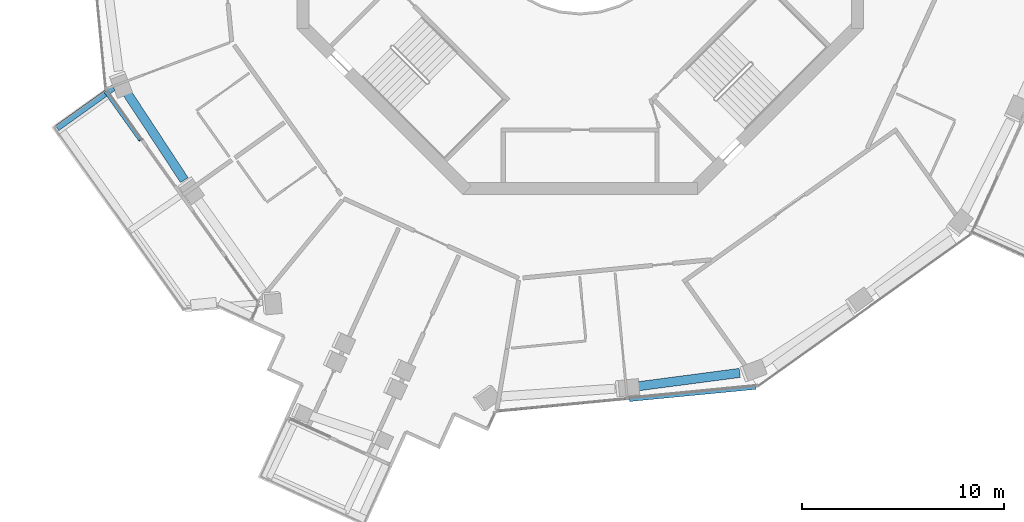
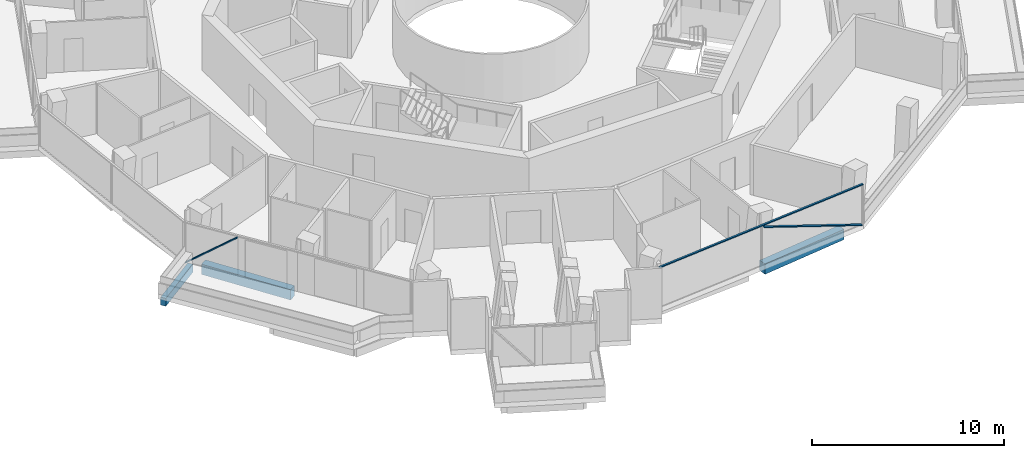
# One storey, part 3 of 22: 3 beams, 3 members, 2 elements without a shape of their own.
"""IFC4 building model written with IfcOpenShell, lengths in metres."""

from ifc_helpers import new_model, si_unit, direction, frame, origin, origin_2d, place, context, subcontext, project, spatial, rectangle, extrude, material, layer, layer_set, material_profile, profile_set, type_object, element, aggregate, save


model = new_model("IFC4")

# Units and contexts
model_context = context("Model", 3, precision=1e-05, world=origin(), true_north=direction((0.0, 1.0)))
body_context = subcontext(model_context, "Body", "Model", "MODEL_VIEW")
ifc_project = project(units=[si_unit("LENGTHUNIT", "METRE"), si_unit("AREAUNIT", "SQUARE_METRE"), si_unit("VOLUMEUNIT", "CUBIC_METRE"), si_unit("PLANEANGLEUNIT", "RADIAN"), si_unit("MASSUNIT", "GRAM", prefix="KILO")], contexts=[model_context])

# Site, building, storey
site_placement = place(None, origin())
site = spatial("IfcSite", under=ifc_project, at=site_placement, CompositionType="ELEMENT")
building_placement = place(site_placement, origin())
building = spatial("IfcBuilding", under=site, at=building_placement, Name="Verdalira Terraces Hotel", CompositionType="ELEMENT")
storey_placement = place(building_placement, frame((0.0, 0.0, 180.0)))
storey = spatial("IfcBuildingStorey", under=building, at=storey_placement, Name="L43", CompositionType="ELEMENT", Elevation=180.0)

# Beam
ifc_material_1 = material(Name="Concrete C40", Category="concrete")
ifc_material_profile_1 = material_profile(ifc_material_1, rectangle(XDim=0.300049, YDim=0.5, at=origin_2d()), Name="RC 300X500")
ifc_profile_set_1 = profile_set([ifc_material_profile_1], Name="Concrete C40")
beam_type_1 = type_object("IfcBeamType", Name="Balcony cantilever beam RC 300X500 C40", PredefinedType="BEAM", material=ifc_profile_set_1)
beam_1_placement = place(storey_placement, frame((-23.062988, -8.720215, -0.560059), z_axis=(-0.813926324, -0.580968105, 0.0), x_axis=(0.580968105, -0.813926324, 0.0)))
element("IfcBeam", 1, at=beam_1_placement, inside=storey, type_object=beam_type_1, Name="Balcony cantilever beam R13-3", PredefinedType="BEAM", context=body_context, shape_type="SweptSolid", body=[
    extrude(rectangle(XDim=0.300049, YDim=0.5, at=origin_2d()), origin(), (0.0, 0.0, 1.0), 3.420654),
])

# Curtain wall, member
ifc_material_2 = material(Name="Clear glass", Category="glass")
ifc_layer = layer(ifc_material_2, 0.14990234375)
ifc_layer_set = layer_set([ifc_layer], Name="CW1 curtain wall")
curtain_wall_type = type_object("IfcCurtainWallType", Name="CW1 curtain wall", PredefinedType="NOTDEFINED", material=ifc_layer_set)
curtain_wall_1_placement = place(storey_placement, origin())
curtain_wall_1 = element("IfcCurtainWall", 2, at=curtain_wall_1_placement, inside=storey, type_object=curtain_wall_type, Name="CW1 curtain wall L43 edge 25", PredefinedType="NOTDEFINED")
ifc_material_3 = material(Name="Terracotta frame", Category="masonry")
ifc_material_profile_2 = material_profile(ifc_material_3, rectangle(XDim=0.110107, YDim=0.064941, at=origin_2d()), Name="TR 65x110")
ifc_profile_set_2 = profile_set([ifc_material_profile_2], Name="Terracotta frame")
member_type_1 = type_object("IfcMemberType", Name="CW1 transom 65x110", PredefinedType="USERDEFINED", material=ifc_profile_set_2)
member_1_placement = place(storey_placement, frame((-4.143555, -24.696533, 2.507568), z_axis=(0.995362841, 0.096191552, 0.0), x_axis=(-0.096191552, 0.995362841, 0.0)))
member_1 = element("IfcMember", 3, at=member_1_placement, type_object=member_type_1, Name="CW1 transom", ObjectType="TRANSOM", PredefinedType="USERDEFINED", context=body_context, shape_type="SweptSolid", body=[
    extrude(rectangle(XDim=0.110107, YDim=0.064941, at=origin_2d()), origin(), (0.0, 0.0, 1.0), 13.0),
])

curtain_wall_2_placement = place(storey_placement, origin())
curtain_wall_2 = element("IfcCurtainWall", 4, at=curtain_wall_2_placement, inside=storey, type_object=curtain_wall_type, Name="CW1 curtain wall L43 edge 13", PredefinedType="NOTDEFINED")
ifc_material_4 = material(Name="Terracotta frame", Category="masonry")
ifc_material_profile_3 = material_profile(ifc_material_4, rectangle(XDim=0.149902, YDim=0.060059, at=origin_2d()), Name="GB 60x150")
ifc_profile_set_3 = profile_set([ifc_material_profile_3], Name="Terracotta frame")
member_type_2 = type_object("IfcMemberType", Name="Diagonal glazing bar 60x150", PredefinedType="USERDEFINED", material=ifc_profile_set_3)
member_2_placement = place(storey_placement, frame((-23.456543, -8.916992, 0.024414), z_axis=(0.448134894, -0.627824306, 0.63640534), x_axis=(0.813924148, 0.580971153, 0.0)))
member_2 = element("IfcMember", 5, at=member_2_placement, type_object=member_type_2, Name="Diagonal glazing bar", ObjectType="GLAZING BAR", PredefinedType="USERDEFINED", context=body_context, shape_type="SweptSolid", body=[
    extrude(rectangle(XDim=0.149902, YDim=0.060059, at=origin_2d()), origin(), (0.0, 0.0, 1.0), 3.8125),
])
aggregate(curtain_wall_2, [member_2])

# Member
member_3_placement = place(storey_placement, frame((2.438721, -24.149658, 2.446289), z_axis=(0.928553313, 0.089737965, -0.36018862), x_axis=(-0.096194594, 0.995362547, 0.0)))
member_3 = element("IfcMember", 6, at=member_3_placement, type_object=member_type_2, Name="Diagonal glazing bar", ObjectType="GLAZING BAR", PredefinedType="USERDEFINED", context=body_context, shape_type="SweptSolid", body=[
    extrude(rectangle(XDim=0.149902, YDim=0.060059, at=origin_2d()), origin(), (0.0, 0.0, 1.0), 6.71167),
])

aggregate(curtain_wall_1, [member_1, member_3])

# Beams
ifc_material_5 = material(Name="Concrete C50", Category="concrete")
ifc_material_profile_4 = material_profile(ifc_material_5, rectangle(XDim=0.449951, YDim=0.649902, at=origin_2d()), Name="RC 450X650")
ifc_profile_set_4 = profile_set([ifc_material_profile_4], Name="Concrete C50")
beam_type_2 = type_object("IfcBeamType", Name="Spandrel beam RC 450X650 C50", PredefinedType="SPANDREL", material=ifc_profile_set_4)
beam_2_placement = place(storey_placement, frame((-22.414795, -8.938965, -0.63501), z_axis=(0.54903433, -0.835799799, 0.0), x_axis=(0.835799799, 0.54903433, 0.0)))
element("IfcBeam", 7, at=beam_2_placement, inside=storey, type_object=beam_type_2, Name="Spandrel beam B08", PredefinedType="SPANDREL", context=body_context, shape_type="SweptSolid", body=[
    extrude(rectangle(XDim=0.449951, YDim=0.649902, at=origin_2d()), origin(), (0.0, 0.0, 1.0), 5.192383),
])
beam_3_placement = place(storey_placement, frame((2.740967, -23.485107, -0.63501), z_axis=(0.991453655, 0.130459381, 0.0), x_axis=(-0.130459381, 0.991453655, 0.0)))
element("IfcBeam", 8, at=beam_3_placement, inside=storey, type_object=beam_type_2, Name="Spandrel beam B12", PredefinedType="SPANDREL", context=body_context, shape_type="SweptSolid", body=[
    extrude(rectangle(XDim=0.449951, YDim=0.649902, at=origin_2d()), origin(), (0.0, 0.0, 1.0), 5.189453),
])

save(model, "model.ifc")
